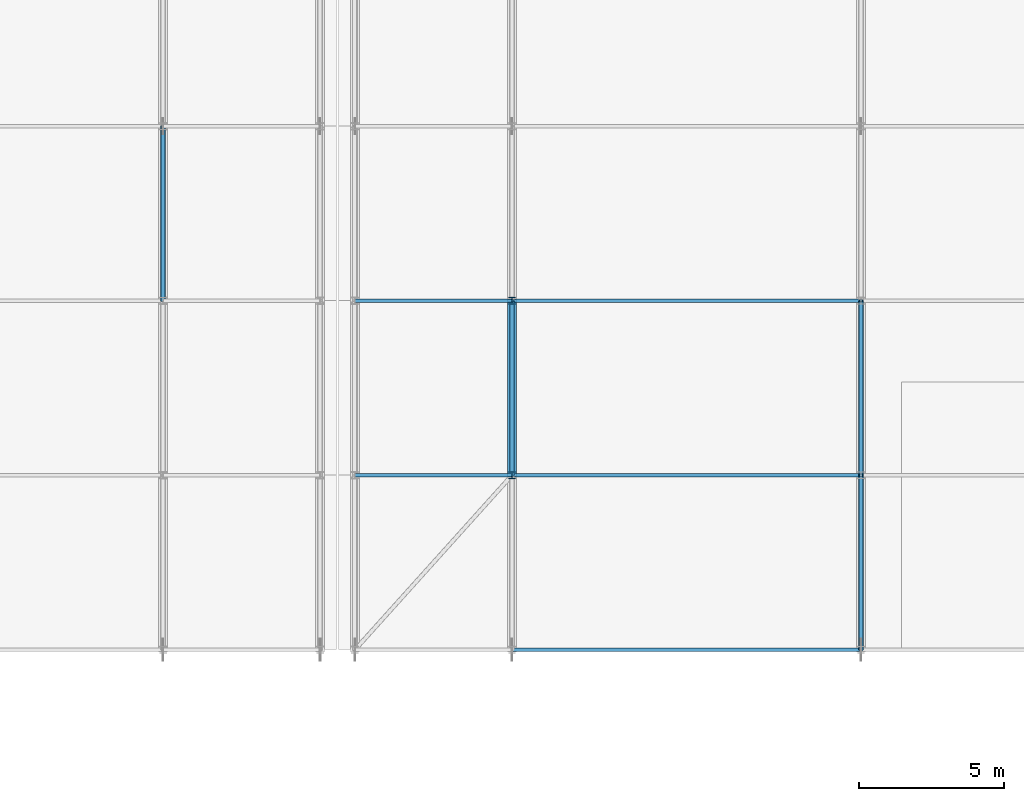
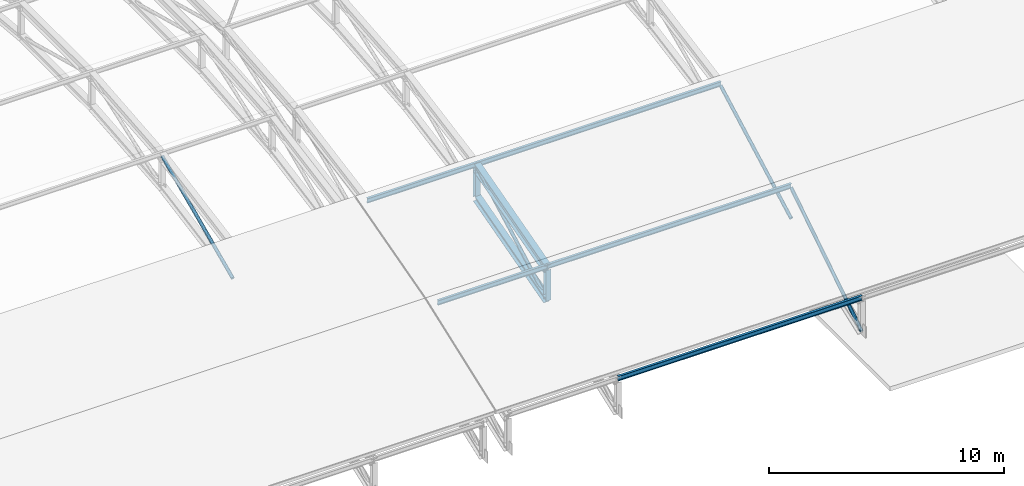
# One storey, part 95 of 204: 13 members.
"""IFC4 building model written with IfcOpenShell, lengths in metres."""

from ifc_helpers import new_model, si_unit, direction, frame, origin, origin_2d, place, context, subcontext, project, spatial, hollow_circle, i_section, extrude, material, material_profile, profile_set, type_object, element, save


model = new_model("IFC4")

# Units and contexts
model_context = context("Model", 3, precision=1e-05, world=origin(), true_north=direction((0.0, 1.0)))
body_context = subcontext(model_context, "Body", "Model", "MODEL_VIEW")
ifc_project = project(units=[si_unit("LENGTHUNIT", "METRE"), si_unit("AREAUNIT", "SQUARE_METRE"), si_unit("VOLUMEUNIT", "CUBIC_METRE"), si_unit("PLANEANGLEUNIT", "RADIAN"), si_unit("MASSUNIT", "GRAM", prefix="KILO")], contexts=[model_context])

# Site, building, storey
site_placement = place(None, origin())
site = spatial("IfcSite", under=ifc_project, at=site_placement, CompositionType="ELEMENT")
building_placement = place(site_placement, origin())
building = spatial("IfcBuilding", under=site, at=building_placement, Name="Zilviju Railside Exhibition Hall", CompositionType="ELEMENT")
storey_placement = place(building_placement, frame((0.0, 0.0, 21.0)))
storey = spatial("IfcBuildingStorey", under=building, at=storey_placement, Name="RF", CompositionType="ELEMENT", Elevation=21.0)

# Members
ifc_material = material(Name="Steel S355J2", Category="steel")
ifc_material_profile_1 = material_profile(ifc_material, hollow_circle(Radius=0.084228515625, WallThickness=0.008056640625, at=origin_2d()), Name="CHS 168.3x8.0")
ifc_profile_set_1 = profile_set([ifc_material_profile_1], Name="Steel S355J2")
member_type_1 = type_object("IfcMemberType", Name="TR-BR-CHS168", PredefinedType="BRACE", material=ifc_profile_set_1)
member_1_placement = place(storey_placement, frame((168.0, 12.0, -3.928466796875), z_axis=(0.0, 0.911563042822, 0.411160332425), x_axis=(-1.0, 0.0, 0.0)))
element("IfcMember", 1, at=member_1_placement, inside=storey, type_object=member_type_1, Name="V1 Parabolic Arch Web Diagonal X=168.0 P3", PredefinedType="BRACE", context=body_context, shape_type="SweptSolid", body=[
    extrude(hollow_circle(Radius=0.084228515625, WallThickness=0.008056640625, at=origin_2d()), origin(), (0.0, 0.0, 1.0), 6.58203125),
])
member_2_placement = place(storey_placement, frame((180.0, 6.0, -5.587646484375), z_axis=(0.0, 0.87872232578, 0.477333294644), x_axis=(-1.0, 0.0, 0.0)))
element("IfcMember", 2, at=member_2_placement, inside=storey, type_object=member_type_1, Name="V1 Parabolic Arch Web Diagonal X=180.0 P2", PredefinedType="BRACE", context=body_context, shape_type="SweptSolid", body=[
    extrude(hollow_circle(Radius=0.084228515625, WallThickness=0.008056640625, at=origin_2d()), origin(), (0.0, 0.0, 1.0), 6.828125),
])
member_3_placement = place(storey_placement, frame((192.0, 0.0, -7.800048828125), z_axis=(0.0, 0.844023315733, 0.536306481872), x_axis=(-1.0, 0.0, 0.0)))
element("IfcMember", 3, at=member_3_placement, inside=storey, type_object=member_type_1, Name="V1 Parabolic Arch Web Diagonal X=192.0 P1", PredefinedType="BRACE", context=body_context, shape_type="SweptSolid", body=[
    extrude(hollow_circle(Radius=0.084228515625, WallThickness=0.008056640625, at=origin_2d()), origin(), (0.0, 0.0, 1.0), 7.10888671875),
])
member_4_placement = place(storey_placement, frame((192.0, 6.0, -5.587646484375), z_axis=(0.0, 0.87872232578, 0.477333294644), x_axis=(-1.0, 0.0, 0.0)))
element("IfcMember", 4, at=member_4_placement, inside=storey, type_object=member_type_1, Name="V1 Parabolic Arch Web Diagonal X=192.0 P2", PredefinedType="BRACE", context=body_context, shape_type="SweptSolid", body=[
    extrude(hollow_circle(Radius=0.084228515625, WallThickness=0.008056640625, at=origin_2d()), origin(), (0.0, 0.0, 1.0), 6.828125),
])
ifc_material_profile_2 = material_profile(ifc_material, i_section(OverallWidth=0.300048828125, OverallDepth=0.360107421875, WebThickness=0.012451171875, FlangeThickness=0.0224609375, at=origin_2d()), Name="HEB 360")
ifc_profile_set_2 = profile_set([ifc_material_profile_2], Name="Steel S355J2")
member_type_2 = type_object("IfcMemberType", Name="TR-CH-HEB360", PredefinedType="CHORD", material=ifc_profile_set_2)
member_5_placement = place(storey_placement, frame((180.0, 6.0, -5.587646484375), z_axis=(0.0, 0.963827412659, 0.266527144223), x_axis=(-1.0, 0.0, 0.0)))
element("IfcMember", 5, at=member_5_placement, inside=storey, type_object=member_type_2, Name="V1 Parabolic Arch Bottom Chord X=180.0 P2", PredefinedType="CHORD", context=body_context, shape_type="SweptSolid", body=[
    extrude(i_section(OverallWidth=0.300048828125, OverallDepth=0.360107421875, WebThickness=0.012451171875, FlangeThickness=0.0224609375, at=origin_2d()), origin(), (0.0, 0.0, 1.0), 6.22509765625),
])
ifc_material_profile_3 = material_profile(ifc_material, i_section(OverallWidth=0.300048828125, OverallDepth=0.449951171875, WebThickness=0.013916015625, FlangeThickness=0.02587890625, at=origin_2d()), Name="HEB 450")
ifc_profile_set_3 = profile_set([ifc_material_profile_3], Name="Steel S355J2")
member_type_3 = type_object("IfcMemberType", Name="TR-CH-HEB450", PredefinedType="CHORD", material=ifc_profile_set_3)
member_6_placement = place(storey_placement, frame((180.0, 6.0, -3.987548828125), z_axis=(0.0, 0.963827412659, 0.266527144223), x_axis=(-1.0, 0.0, 0.0)))
element("IfcMember", 6, at=member_6_placement, inside=storey, type_object=member_type_3, Name="V1 Parabolic Arch Top Chord X=180.0 P2", PredefinedType="CHORD", context=body_context, shape_type="SweptSolid", body=[
    extrude(i_section(OverallWidth=0.300048828125, OverallDepth=0.449951171875, WebThickness=0.013916015625, FlangeThickness=0.02587890625, at=origin_2d()), origin(), (0.0, 0.0, 1.0), 6.22509765625),
])
ifc_material_profile_4 = material_profile(ifc_material, i_section(OverallWidth=0.239990234375, OverallDepth=0.22998046875, WebThickness=0.007568359375, FlangeThickness=0.011962890625, at=origin_2d()), Name="HEA 240")
ifc_profile_set_4 = profile_set([ifc_material_profile_4], Name="Steel S355J2")
member_type_4 = type_object("IfcMemberType", Name="TR-POST-HEA240", PredefinedType="POST", material=ifc_profile_set_4)
for number, where, z_axis, x_axis, name in (
    (7, (180.0, 6.0, -5.587646484375), (0.0, 0.0, 1.0), (1.0, 0.0, 0.0), "V1 Parabolic Arch Web Post X=180.0 N1"),
    (8, (180.0, 12.0, -3.928466796875), (0.0, 0.0, 1.0), (1.0, 0.0, 0.0), "V1 Parabolic Arch Web Post X=180.0 N2"),
):
    element("IfcMember", number, at=place(storey_placement, frame(where, z_axis=z_axis, x_axis=x_axis)), inside=storey, type_object=member_type_4, Name=name, PredefinedType="POST", context=body_context, shape_type="SweptSolid", body=[
        extrude(i_section(OverallWidth=0.239990234375, OverallDepth=0.22998046875, WebThickness=0.007568359375, FlangeThickness=0.011962890625, at=origin_2d()), origin(), (0.0, 0.0, 1.0), 1.60009765625),
    ])
ifc_material_profile_5 = material_profile(ifc_material, i_section(OverallWidth=0.1201171875, OverallDepth=0.239990234375, WebThickness=0.006103515625, FlangeThickness=0.009765625, at=origin_2d()), Name="IPE 240")
ifc_profile_set_5 = profile_set([ifc_material_profile_5], Name="Steel S355J2")
member_type_5 = type_object("IfcMemberType", Name="TR-PUR-IPE240", PredefinedType="PURLIN", material=ifc_profile_set_5)
for number, where, z_axis, x_axis, name in (
    (9, (174.60009765625, 6.0, -3.864990234375), (1.0, 0.0, 0.0), (0.0, 1.0, 0.0), "V1 Barrel Vault Roof Purlin Y=6.0 (174.6..180.0)"),
    (10, (174.60009765625, 12.0, -2.193603515625), (1.0, 0.0, 0.0), (0.0, 1.0, 0.0), "V1 Barrel Vault Roof Purlin Y=12.0 (174.6..180.0)"),
):
    element("IfcMember", number, at=place(storey_placement, frame(where, z_axis=z_axis, x_axis=x_axis)), inside=storey, type_object=member_type_5, Name=name, PredefinedType="PURLIN", context=body_context, shape_type="SweptSolid", body=[
        extrude(i_section(OverallWidth=0.1201171875, OverallDepth=0.239990234375, WebThickness=0.006103515625, FlangeThickness=0.009765625, at=origin_2d()), origin(), (0.0, 0.0, 1.0), 5.39990234375),
    ])
for number, where, z_axis, x_axis, name in (
    (11, (180.0, 0.0, -6.05517578125), (1.0, 0.0, 0.0), (0.0, 1.0, 0.0), "V1 Barrel Vault Roof Purlin Y=0.0 (180.0..192.0)"),
    (12, (180.0, 6.0, -3.864990234375), (1.0, 0.0, 0.0), (0.0, 1.0, 0.0), "V1 Barrel Vault Roof Purlin Y=6.0 (180.0..192.0)"),
    (13, (180.0, 12.0, -2.193603515625), (1.0, 0.0, 0.0), (0.0, 1.0, 0.0), "V1 Barrel Vault Roof Purlin Y=12.0 (180.0..192.0)"),
):
    element("IfcMember", number, at=place(storey_placement, frame(where, z_axis=z_axis, x_axis=x_axis)), inside=storey, type_object=member_type_5, Name=name, PredefinedType="PURLIN", context=body_context, shape_type="SweptSolid", body=[
        extrude(i_section(OverallWidth=0.1201171875, OverallDepth=0.239990234375, WebThickness=0.006103515625, FlangeThickness=0.009765625, at=origin_2d()), origin(), (0.0, 0.0, 1.0), 12.0),
    ])

save(model, "model.ifc")
